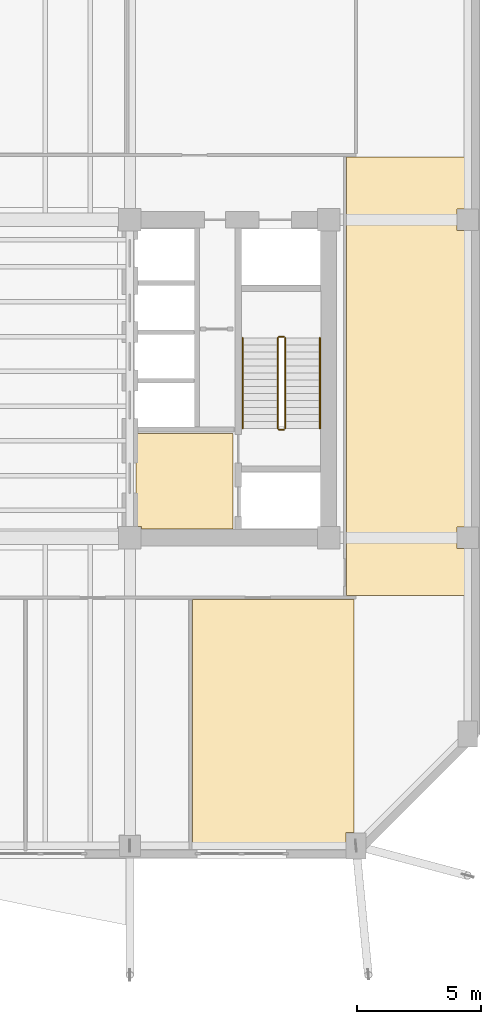
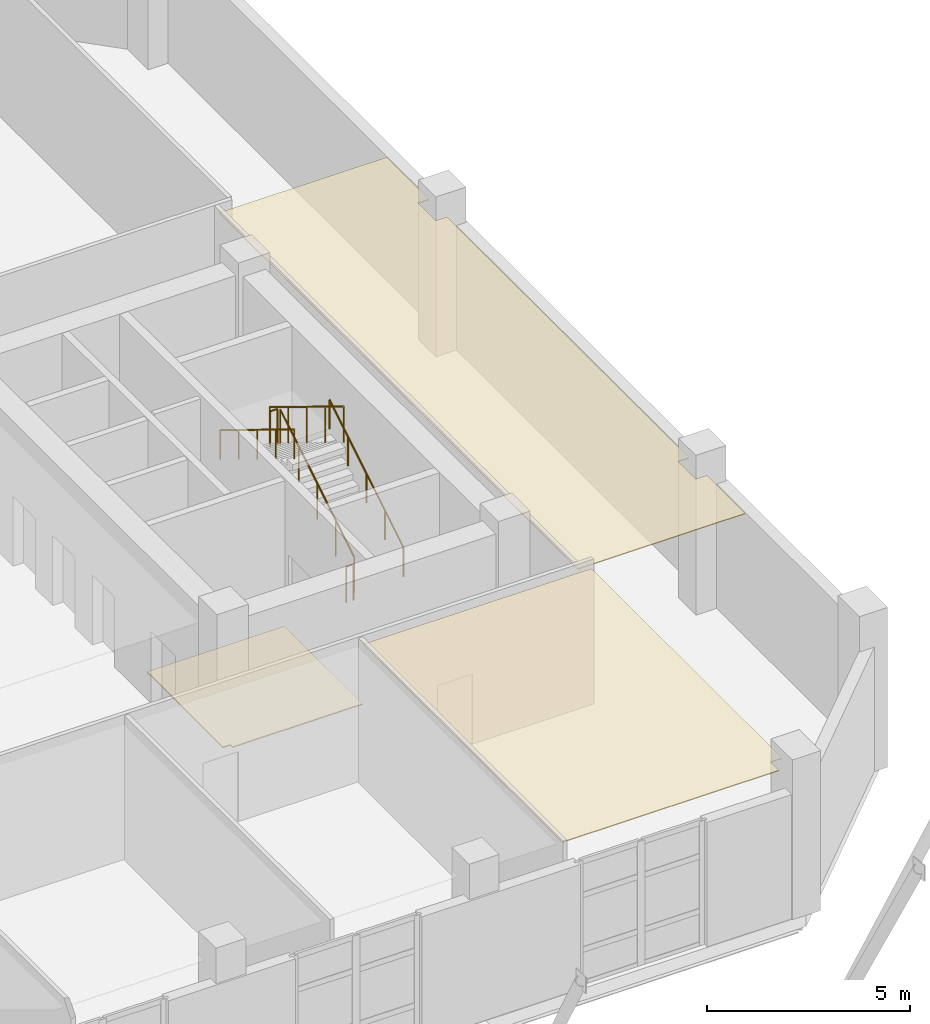
# One storey, part 13 of 15: 6 railings, 3 coverings.
"""IFC4 building model written with IfcOpenShell, lengths in metres."""

from ifc_helpers import new_model, si_unit, direction, frame, origin, origin_2d, place, context, subcontext, project, spatial, polyline, circle, outline, extrude, material, layer, layer_set, type_object, element, save


model = new_model("IFC4")

# Units and contexts
model_context = context("Model", 3, precision=1e-05, world=origin(), true_north=direction((0.0, 1.0)))
body_context = subcontext(model_context, "Body", "Model", "MODEL_VIEW")
ifc_project = project(units=[si_unit("LENGTHUNIT", "METRE"), si_unit("AREAUNIT", "SQUARE_METRE"), si_unit("VOLUMEUNIT", "CUBIC_METRE"), si_unit("PLANEANGLEUNIT", "RADIAN"), si_unit("MASSUNIT", "GRAM", prefix="KILO")], contexts=[model_context])

# Site, building, storey
site_placement = place(None, origin())
site = spatial("IfcSite", under=ifc_project, at=site_placement, CompositionType="ELEMENT")
building_placement = place(site_placement, origin())
building = spatial("IfcBuilding", under=site, at=building_placement, Name="Kranthara Brick Stack", CompositionType="ELEMENT")
storey_placement = place(building_placement, frame((0.0, 0.0, 202.699951171875)))
storey = spatial("IfcBuildingStorey", under=building, at=storey_placement, Name="L52", CompositionType="ELEMENT", Elevation=202.699951171875)

# Coverings
ifc_material_1 = material(Name="Perforated mineral-fibre acoustic ceiling tile", Category="other")
ifc_layer_1 = layer(ifc_material_1, 0.02490234375)
ifc_layer_set_1 = layer_set([ifc_layer_1], Name="Perforated mineral-fibre acoustic ceiling tile")
covering_type_1 = type_object("IfcCoveringType", Name="COV-CEIL-ACOUSTIC", PredefinedType="CEILING", material=ifc_layer_set_1)
covering_1_placement = place(storey_placement, frame((0.0, 0.0, 4.080078125)))
element("IfcCovering", 1, at=covering_1_placement, inside=storey, type_object=covering_type_1, Name="L52 Residents Focus Study Room Acoustic Ceiling", PredefinedType="CEILING", context=body_context, shape_type="SweptSolid", body=[
    extrude(outline(polyline([(37.72998046875, 8.52001953125), (37.72998046875, 18.320068359375), (44.219970703125, 18.320068359375), (44.219970703125, 8.93505859375), (43.889892578125, 8.93505859375), (43.889892578125, 8.52001953125), (37.72998046875, 8.52001953125)])), origin(), (0.0, 0.0, 1.0), 0.02490234375),
])
covering_2_placement = place(storey_placement, frame((0.0, 0.0, 4.080078125)))
element("IfcCovering", 2, at=covering_2_placement, inside=storey, type_object=covering_type_1, Name="L52 L52 East VIP Club Room Acoustic Ceiling", PredefinedType="CEILING", context=body_context, shape_type="SweptSolid", body=[
    extrude(outline(polyline([(43.919921875, 18.47998046875), (43.919921875, 36.1201171875), (48.679931640625, 36.1201171875), (48.679931640625, 34.034912109375), (48.364990234375, 34.034912109375), (48.364990234375, 33.1650390625), (48.679931640625, 33.1650390625), (48.679931640625, 21.235107421875), (48.364990234375, 21.235107421875), (48.364990234375, 20.364990234375), (48.679931640625, 20.364990234375), (48.679931640625, 18.47998046875), (43.919921875, 18.47998046875)])), origin(), (0.0, 0.0, 1.0), 0.02490234375),
])
ifc_material_2 = material(Name="Honed terrazzo and porcelain floor finish", Category="stone")
ifc_layer_2 = layer(ifc_material_2, 0.030029296875)
ifc_layer_set_2 = layer_set([ifc_layer_2], Name="Honed terrazzo and porcelain floor finish")
covering_type_2 = type_object("IfcCoveringType", Name="COV-FLOR-STONE", PredefinedType="FLOORING", material=ifc_layer_set_2)
covering_3_placement = place(storey_placement, origin())
element("IfcCovering", 3, at=covering_3_placement, inside=storey, type_object=covering_type_2, Name="L52 Lift Lobby Stone Flooring", PredefinedType="FLOORING", context=body_context, shape_type="SweptSolid", body=[
    extrude(outline(polyline([(35.449951171875, 25.0), (39.35009765625, 25.0), (39.35009765625, 21.14990234375), (35.659912109375, 21.14990234375), (35.659912109375, 21.260009765625), (35.449951171875, 21.260009765625), (35.449951171875, 25.0)])), origin(), (0.0, 0.0, 1.0), 0.030029296875),
])

# Railings
ifc_material_3 = material(Name="Painted galvanized steel stair guardrail", Category="steel")
railing_type_1 = type_object("IfcRailingType", Name="RL-STAIR-GUARD-1100", PredefinedType="GUARDRAIL", material=ifc_material_3)
railing_1_placement = place(storey_placement, frame((41.449951171875, 25.199951171875, 0.17138671875)))
element("IfcRailing", 4, at=railing_1_placement, inside=storey, type_object=railing_type_1, Name="L52 ST02 stair guard 1", PredefinedType="GUARDRAIL", context=body_context, shape_type="SweptSolid", body=[
    extrude(circle(Radius=0.02392578125, at=origin_2d()), frame((0.0, 0.0, 1.076171875), z_axis=(0.0, 0.852840387347, 0.522171689878), x_axis=(-1.0, 0.0, 0.0)), (0.0, 0.0, 1.0), 4.268310546875),
    extrude(circle(Radius=0.02099609375, at=origin_2d()), origin(), (0.0, 0.0, 1.0), 1.052001953125),
    extrude(circle(Radius=0.02099609375, at=origin_2d()), frame((0.0, 0.91015625, 0.55712890625)), (0.0, 0.0, 1.0), 1.052001953125),
    extrude(circle(Radius=0.02099609375, at=origin_2d()), frame((0.0, 1.820068359375, 1.1142578125)), (0.0, 0.0, 1.0), 1.052001953125),
    extrude(circle(Radius=0.02099609375, at=origin_2d()), frame((0.0, 2.72998046875, 1.671630859375)), (0.0, 0.0, 1.0), 1.052001953125),
    extrude(circle(Radius=0.02099609375, at=origin_2d()), frame((0.0, 3.64013671875, 2.228759765625)), (0.0, 0.0, 1.0), 1.052001953125),
])
railing_2_placement = place(storey_placement, frame((41.39990234375, 28.889892578125, 2.400146484375)))
element("IfcRailing", 5, at=railing_2_placement, inside=storey, type_object=railing_type_1, Name="L52 ST02 stair guard 2", PredefinedType="GUARDRAIL", context=body_context, shape_type="SweptSolid", body=[
    extrude(circle(Radius=0.02392578125, at=origin_2d()), frame((0.0, 0.0, 1.076171875), z_axis=(-1.0, 0.0, 0.0), x_axis=(0.0, -1.0, 0.0)), (0.0, 0.0, 1.0), 0.199951171875),
    extrude(circle(Radius=0.02099609375, at=origin_2d()), origin(), (0.0, 0.0, 1.0), 1.052001953125),
    extrude(circle(Radius=0.02099609375, at=origin_2d()), frame((-0.199951171875, 0.0, 0.0)), (0.0, 0.0, 1.0), 1.052001953125),
])
railing_3_placement = place(storey_placement, frame((41.14990234375, 28.840087890625, 2.571533203125)))
element("IfcRailing", 6, at=railing_3_placement, inside=storey, type_object=railing_type_1, Name="L52 ST02 stair guard 3", PredefinedType="GUARDRAIL", context=body_context, shape_type="SweptSolid", body=[
    extrude(circle(Radius=0.02392578125, at=origin_2d()), frame((0.0, 0.0, 1.076171875), z_axis=(0.0, -0.852865859571, 0.52213008492), x_axis=(1.0, 0.0, 0.0)), (0.0, 0.0, 1.0), 4.26806640625),
    extrude(circle(Radius=0.02099609375, at=origin_2d()), origin(), (0.0, 0.0, 1.0), 1.052001953125),
    extrude(circle(Radius=0.02099609375, at=origin_2d()), frame((0.0, -0.91015625, 0.55712890625)), (0.0, 0.0, 1.0), 1.052001953125),
    extrude(circle(Radius=0.02099609375, at=origin_2d()), frame((0.0, -1.820068359375, 1.1142578125)), (0.0, 0.0, 1.0), 1.052001953125),
    extrude(circle(Radius=0.02099609375, at=origin_2d()), frame((0.0, -2.72998046875, 1.67138671875)), (0.0, 0.0, 1.0), 1.052001953125),
    extrude(circle(Radius=0.02099609375, at=origin_2d()), frame((0.0, -3.64013671875, 2.228515625)), (0.0, 0.0, 1.0), 1.052001953125),
])
railing_4_placement = place(storey_placement, frame((41.39990234375, 25.14990234375, 0.0)))
element("IfcRailing", 7, at=railing_4_placement, inside=storey, type_object=railing_type_1, Name="L52 ST02 stair guard 4", PredefinedType="GUARDRAIL", context=body_context, shape_type="SweptSolid", body=[
    extrude(circle(Radius=0.02392578125, at=origin_2d()), frame((0.0, 0.0, 1.076171875), z_axis=(-1.0, 0.0, 0.0), x_axis=(0.0, -1.0, 0.0)), (0.0, 0.0, 1.0), 0.199951171875),
    extrude(circle(Radius=0.02099609375, at=origin_2d()), origin(), (0.0, 0.0, 1.0), 1.052001953125),
    extrude(circle(Radius=0.02099609375, at=origin_2d()), frame((-0.199951171875, 0.0, 0.0)), (0.0, 0.0, 1.0), 1.052001953125),
])
ifc_material_4 = material(Name="Brushed stainless steel tubular handrail", Category="steel")
railing_type_2 = type_object("IfcRailingType", Name="RL-STAIR-HAND-900", PredefinedType="HANDRAIL", material=ifc_material_4)
railing_5_placement = place(storey_placement, frame((42.85009765625, 25.199951171875, 0.17138671875)))
element("IfcRailing", 8, at=railing_5_placement, inside=storey, type_object=railing_type_2, Name="L52 ST02 stair handrail 1", PredefinedType="HANDRAIL", context=body_context, shape_type="SweptSolid", body=[
    extrude(circle(Radius=0.02392578125, at=origin_2d()), frame((0.0, 0.0, 0.8759765625), z_axis=(0.0, 0.852840387347, 0.522171689878), x_axis=(-1.0, 0.0, 0.0)), (0.0, 0.0, 1.0), 4.268310546875),
    extrude(circle(Radius=0.02099609375, at=origin_2d()), origin(), (0.0, 0.0, 1.0), 0.851806640625),
    extrude(circle(Radius=0.02099609375, at=origin_2d()), frame((0.0, 0.91015625, 0.55712890625)), (0.0, 0.0, 1.0), 0.851806640625),
    extrude(circle(Radius=0.02099609375, at=origin_2d()), frame((0.0, 1.820068359375, 1.1142578125)), (0.0, 0.0, 1.0), 0.851806640625),
    extrude(circle(Radius=0.02099609375, at=origin_2d()), frame((0.0, 2.72998046875, 1.671630859375)), (0.0, 0.0, 1.0), 0.851806640625),
    extrude(circle(Radius=0.02099609375, at=origin_2d()), frame((0.0, 3.64013671875, 2.228759765625)), (0.0, 0.0, 1.0), 0.851806640625),
])
railing_6_placement = place(storey_placement, frame((39.75, 28.840087890625, 2.571533203125)))
element("IfcRailing", 9, at=railing_6_placement, inside=storey, type_object=railing_type_2, Name="L52 ST02 stair handrail 2", PredefinedType="HANDRAIL", context=body_context, shape_type="SweptSolid", body=[
    extrude(circle(Radius=0.02392578125, at=origin_2d()), frame((0.0, 0.0, 0.8759765625), z_axis=(0.0, -0.852865859571, 0.52213008492), x_axis=(1.0, 0.0, 0.0)), (0.0, 0.0, 1.0), 4.26806640625),
    extrude(circle(Radius=0.02099609375, at=origin_2d()), origin(), (0.0, 0.0, 1.0), 0.851806640625),
    extrude(circle(Radius=0.02099609375, at=origin_2d()), frame((0.0, -0.91015625, 0.55712890625)), (0.0, 0.0, 1.0), 0.851806640625),
    extrude(circle(Radius=0.02099609375, at=origin_2d()), frame((0.0, -1.820068359375, 1.1142578125)), (0.0, 0.0, 1.0), 0.851806640625),
    extrude(circle(Radius=0.02099609375, at=origin_2d()), frame((0.0, -2.72998046875, 1.67138671875)), (0.0, 0.0, 1.0), 0.851806640625),
    extrude(circle(Radius=0.02099609375, at=origin_2d()), frame((0.0, -3.64013671875, 2.228515625)), (0.0, 0.0, 1.0), 0.851806640625),
])

save(model, "model.ifc")
